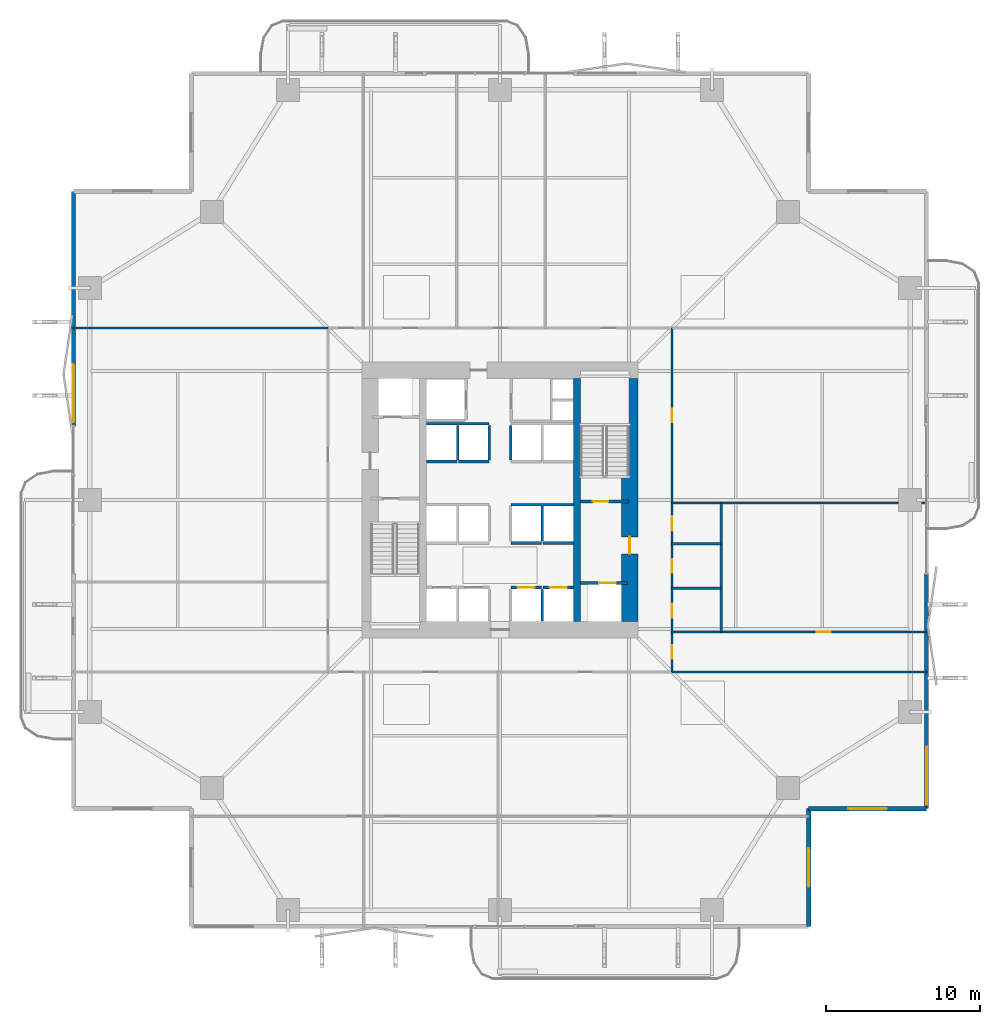
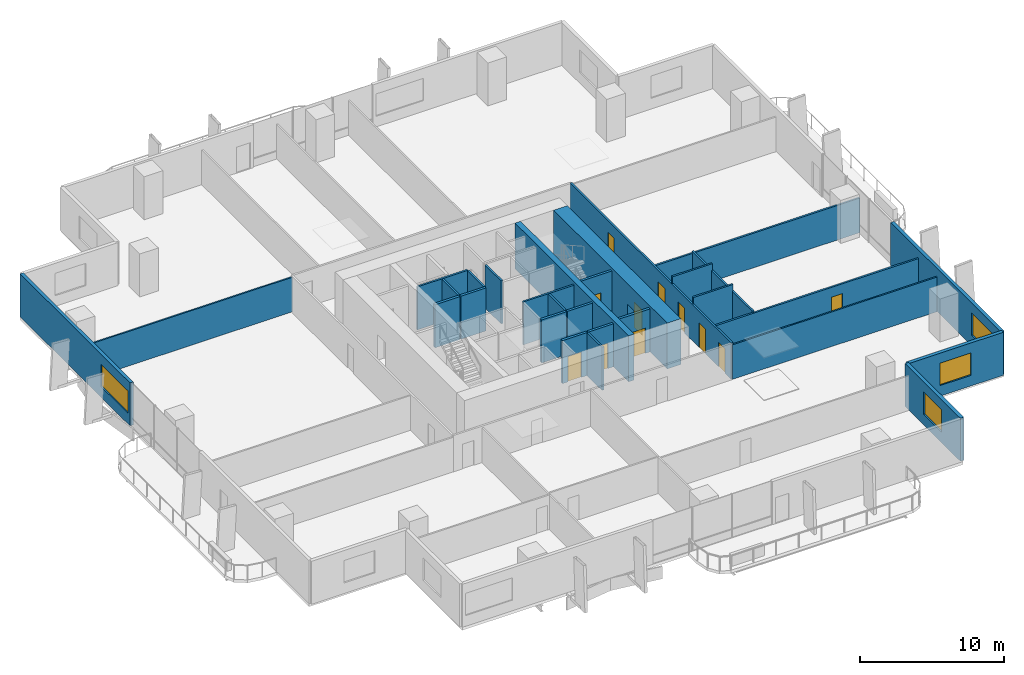
# One storey, part 18 of 24: 29 walls, 11 doors, 4 windows, 15 openings.
"""IFC4 building model written with IfcOpenShell, lengths in metres."""

from ifc_helpers import new_model, si_unit, direction, frame, frame_2d, origin, place, context, subcontext, project, spatial, rectangle, extrude, material, layer, layer_set, type_object, element, fill, save


model = new_model("IFC4")

# Units and contexts
model_context = context("Model", 3, precision=1e-05, world=origin(), true_north=direction((0.0, 1.0)))
body_context = subcontext(model_context, "Body", "Model", "MODEL_VIEW")
ifc_project = project(units=[si_unit("LENGTHUNIT", "METRE"), si_unit("AREAUNIT", "SQUARE_METRE"), si_unit("VOLUMEUNIT", "CUBIC_METRE"), si_unit("PLANEANGLEUNIT", "RADIAN"), si_unit("MASSUNIT", "GRAM", prefix="KILO")], contexts=[model_context])

# Site, building, storey
site_placement = place(None, origin())
site = spatial("IfcSite", under=ifc_project, at=site_placement, CompositionType="ELEMENT")
building_placement = place(site_placement, origin())
building = spatial("IfcBuilding", under=site, at=building_placement, Name="Belovzor Exchange Tower", CompositionType="ELEMENT")
storey_placement = place(building_placement, frame((0.0, 0.0, 61.199951171875)))
storey = spatial("IfcBuildingStorey", under=building, at=storey_placement, Name="L14", CompositionType="ELEMENT", Elevation=61.199951171875)

# Walls
ifc_material_1 = material(Name="Acoustic Plasterboard on Galvanised Studs", Category="gypsum")
ifc_layer_1 = layer(ifc_material_1, 0.1201171875)
ifc_layer_set_1 = layer_set([ifc_layer_1], Name="Acoustic Plasterboard on Galvanised Studs")
wall_type_1 = type_object("IfcWallType", Name="Acoustic Double-Stud Partition Wall 120", PredefinedType="PARTITIONING", material=ifc_layer_set_1)
for number, where, z_axis, x_axis, name in (
    (1, (40.0, 17.60009765625, 0.0), (0.0, 0.0, 1.0), (1.0, 0.0, 0.0), "W-P120 Partition Wall W-L14-END-SE"),
    (2, (1.030029296875, 40.0, 0.0), (0.0, 0.0, 1.0), (1.0, 0.0, 0.0), "W-P120 Partition Wall W-L14-END-NW"),
):
    element("IfcWall", number, at=place(storey_placement, frame(where, z_axis=z_axis, x_axis=x_axis)), inside=storey, type_object=wall_type_1, Name=name, PredefinedType="PARTITIONING", context=body_context, shape_type="SweptSolid", body=[
        extrude(rectangle(XDim=16.570068359375, YDim=0.1201171875, at=frame_2d((8.28515625, 0.0))), origin(), (0.0, 0.0, 1.0), 2.93505859375),
    ])
ifc_material_2 = material(Name="Fire-Rated Gypsum Block and Mineral Wool", Category="gypsum")
ifc_layer_2 = layer(ifc_material_2, 0.14990234375)
ifc_layer_set_2 = layer_set([ifc_layer_2], Name="Fire-Rated Gypsum Block and Mineral Wool")
wall_type_2 = type_object("IfcWallType", Name="Fire-Rated Gypsum Block Corridor Wall 150", PredefinedType="PARTITIONING", material=ifc_layer_set_2)
wall_1_placement = place(storey_placement, frame((43.199951171875, 20.199951171875, 0.0), z_axis=(0.0, 0.0, 1.0), x_axis=(0.0, 1.0, 0.0)))
element("IfcWall", 3, at=wall_1_placement, inside=storey, type_object=wall_type_2, Name="W-P150 Partition Wall W-L14-WCE", PredefinedType="PARTITIONING", context=body_context, shape_type="SweptSolid", body=[
    extrude(rectangle(XDim=8.400146484375, YDim=0.14990234375, at=frame_2d((4.2001953125, 0.0))), origin(), (0.0, 0.0, 1.0), 3.0849609375),
])

# Wall, opening, door
wall_2_placement = place(storey_placement, frame((40.0, 20.199951171875, 0.0), z_axis=(0.0, 0.0, 1.0), x_axis=(1.0, 0.0, 0.0)))
wall_2 = element("IfcWall", 4, at=wall_2_placement, inside=storey, type_object=wall_type_2, Name="W-P150 Partition Wall W-L14-WCS", PredefinedType="PARTITIONING", context=body_context, shape_type="SweptSolid", body=[
    extrude(rectangle(XDim=16.570068359375, YDim=0.14990234375, at=frame_2d((8.28515625, 0.0))), origin(), (0.0, 0.0, 1.0), 2.93505859375),
])
opening_1_placement = place(wall_2_placement, frame((9.43505859375, 0.0, 0.0)))
opening_1 = element("IfcOpeningElement", 5, at=opening_1_placement, cuts=wall_2, Name="Opening D-INT-090", PredefinedType="OPENING", context=body_context, shape_type="SweptSolid", body=[
    extrude(rectangle(XDim=0.89990234375, YDim=2.10009765625, at=frame_2d((0.449951171875, 1.050048828125))), frame((0.0, 0.0849609375, 0.0), z_axis=(0.0, -1.0, 0.0), x_axis=(1.0, 0.0, 0.0)), (0.0, 0.0, 1.0), 0.169921875),
])
ifc_material_3 = material(Name="Veneered Hardwood Acoustic Leaf", Category="wood")
door_type_1 = type_object("IfcDoorType", Name="Trading Suite Acoustic Single Door 900x2100", OperationType="NOTDEFINED", PredefinedType="DOOR", material=ifc_material_3)
door_1_placement = place(opening_1_placement, origin())
door_1 = element("IfcDoor", 6, at=door_1_placement, inside=storey, type_object=door_type_1, Name="D-INT-090 Trading Suite Acoustic Single Door 900x2100", OperationType="SINGLE_SWING_LEFT", OverallHeight=2.10009765625, OverallWidth=0.89990234375, PredefinedType="DOOR", context=body_context, shape_type="SweptSolid", body=[
    extrude(rectangle(XDim=0.89990234375, YDim=2.10009765625, at=frame_2d((0.449951171875, 1.050048828125))), frame((0.0, 0.02490234375, 0.0), z_axis=(0.0, -1.0, 0.0), x_axis=(1.0, 0.0, 0.0)), (0.0, 0.0, 1.0), 0.050048828125),
])
fill(opening_1, door_1)

# Walls
wall_3_placement = place(storey_placement, frame((40.0, 28.60009765625, 0.0), z_axis=(0.0, 0.0, 1.0), x_axis=(1.0, 0.0, 0.0)))
element("IfcWall", 7, at=wall_3_placement, inside=storey, type_object=wall_type_2, Name="W-P150 Partition Wall W-L14-WCN", PredefinedType="PARTITIONING", context=body_context, shape_type="SweptSolid", body=[
    extrude(rectangle(XDim=16.570068359375, YDim=0.14990234375, at=frame_2d((8.28515625, 0.0))), origin(), (0.0, 0.0, 1.0), 2.93505859375),
])
for number, where, z_axis, x_axis, name in (
    (8, (40.0, 23.050048828125, 0.0), (0.0, 0.0, 1.0), (1.0, 0.0, 0.0), "W-P150 Partition Wall W-L14-WCD1"),
    (9, (40.0, 25.949951171875, 0.0), (0.0, 0.0, 1.0), (1.0, 0.0, 0.0), "W-P150 Partition Wall W-L14-WCD2"),
):
    element("IfcWall", number, at=place(storey_placement, frame(where, z_axis=z_axis, x_axis=x_axis)), inside=storey, type_object=wall_type_2, Name=name, PredefinedType="PARTITIONING", context=body_context, shape_type="SweptSolid", body=[
        extrude(rectangle(XDim=3.199951171875, YDim=0.14990234375, at=frame_2d((1.60009765625, 0.0))), origin(), (0.0, 0.0, 1.0), 3.650146484375),
    ])

# Wall, openings, doors
wall_4_placement = place(storey_placement, frame((40.0, 17.60009765625, 0.0), z_axis=(0.0, 0.0, 1.0), x_axis=(0.0, 1.0, 0.0)))
wall_4 = element("IfcWall", 10, at=wall_4_placement, inside=storey, type_object=wall_type_2, Name="W-P150 Partition Wall W-L14-CE", PredefinedType="PARTITIONING", context=body_context, shape_type="SweptSolid", body=[
    extrude(rectangle(XDim=22.39990234375, YDim=0.14990234375, at=frame_2d((11.199951171875, 0.0))), origin(), (0.0, 0.0, 1.0), 3.0849609375),
])
opening_2_placement = place(wall_4_placement, frame((0.85009765625, 0.0, 0.0)))
opening_2 = element("IfcOpeningElement", 11, at=opening_2_placement, cuts=wall_4, Name="Opening D-INT-090", PredefinedType="OPENING", context=body_context, shape_type="SweptSolid", body=[
    extrude(rectangle(XDim=0.89990234375, YDim=2.10009765625, at=frame_2d((0.449951171875, 1.050048828125))), frame((0.0, 0.0849609375, 0.0), z_axis=(0.0, -1.0, 0.0), x_axis=(1.0, 0.0, 0.0)), (0.0, 0.0, 1.0), 0.169921875),
])
opening_3_placement = place(wall_4_placement, frame((3.550048828125, 0.0, 0.0)))
opening_3 = element("IfcOpeningElement", 12, at=opening_3_placement, cuts=wall_4, Name="Opening D-FD60-090", PredefinedType="OPENING", context=body_context, shape_type="SweptSolid", body=[
    extrude(rectangle(XDim=0.89990234375, YDim=2.10009765625, at=frame_2d((0.449951171875, 1.050048828125))), frame((0.0, 0.0849609375, 0.0), z_axis=(0.0, -1.0, 0.0), x_axis=(1.0, 0.0, 0.0)), (0.0, 0.0, 1.0), 0.169921875),
])
opening_4_placement = place(wall_4_placement, frame((6.449951171875, 0.0, 0.0)))
opening_4 = element("IfcOpeningElement", 13, at=opening_4_placement, cuts=wall_4, Name="Opening D-FD60-090", PredefinedType="OPENING", context=body_context, shape_type="SweptSolid", body=[
    extrude(rectangle(XDim=0.89990234375, YDim=2.10009765625, at=frame_2d((0.449951171875, 1.050048828125))), frame((0.0, 0.0849609375, 0.0), z_axis=(0.0, -1.0, 0.0), x_axis=(1.0, 0.0, 0.0)), (0.0, 0.0, 1.0), 0.169921875),
])
opening_5_placement = place(wall_4_placement, frame((9.199951171875, 0.0, 0.0)))
opening_5 = element("IfcOpeningElement", 14, at=opening_5_placement, cuts=wall_4, Name="Opening D-FD60-095", PredefinedType="OPENING", context=body_context, shape_type="SweptSolid", body=[
    extrude(rectangle(XDim=0.949951171875, YDim=2.10009765625, at=frame_2d((0.47509765625, 1.050048828125))), frame((0.0, 0.0849609375, 0.0), z_axis=(0.0, -1.0, 0.0), x_axis=(1.0, 0.0, 0.0)), (0.0, 0.0, 1.0), 0.169921875),
])
opening_6_placement = place(wall_4_placement, frame((16.25, 0.0, 0.0)))
opening_6 = element("IfcOpeningElement", 15, at=opening_6_placement, cuts=wall_4, Name="Opening D-INT-090", PredefinedType="OPENING", context=body_context, shape_type="SweptSolid", body=[
    extrude(rectangle(XDim=0.89990234375, YDim=2.10009765625, at=frame_2d((0.449951171875, 1.050048828125))), frame((0.0, 0.0849609375, 0.0), z_axis=(0.0, -1.0, 0.0), x_axis=(1.0, 0.0, 0.0)), (0.0, 0.0, 1.0), 0.169921875),
])
ifc_material_4 = material(Name="Moisture-Resistant Timber Fire Leaf", Category="wood")
door_type_2 = type_object("IfcDoorType", Name="Accessible Restroom Wide Fire Door 950x2100", OperationType="NOTDEFINED", PredefinedType="DOOR", material=ifc_material_4)
door_2_placement = place(opening_5_placement, origin())
door_2 = element("IfcDoor", 16, at=door_2_placement, inside=storey, type_object=door_type_2, Name="D-FD60-095 Accessible Restroom Wide Fire Door 950x2100", OperationType="SINGLE_SWING_LEFT", OverallHeight=2.10009765625, OverallWidth=0.949951171875, PredefinedType="DOOR", context=body_context, shape_type="SweptSolid", body=[
    extrude(rectangle(XDim=0.949951171875, YDim=2.10009765625, at=frame_2d((0.47509765625, 1.050048828125))), frame((0.0, 0.02490234375, 0.0), z_axis=(0.0, -1.0, 0.0), x_axis=(1.0, 0.0, 0.0)), (0.0, 0.0, 1.0), 0.050048828125),
])
fill(opening_5, door_2)
ifc_material_5 = material(Name="Acoustic Timber Fire Leaf", Category="wood")
door_type_3 = type_object("IfcDoorType", Name="Core Service & Restroom Fire Door 900x2100", OperationType="NOTDEFINED", PredefinedType="DOOR", material=ifc_material_5)
door_3_placement = place(opening_3_placement, origin())
door_3 = element("IfcDoor", 17, at=door_3_placement, inside=storey, type_object=door_type_3, Name="D-FD60-090 Core Service & Restroom Fire Door 900x2100", OperationType="SINGLE_SWING_LEFT", OverallHeight=2.10009765625, OverallWidth=0.89990234375, PredefinedType="DOOR", context=body_context, shape_type="SweptSolid", body=[
    extrude(rectangle(XDim=0.89990234375, YDim=2.10009765625, at=frame_2d((0.449951171875, 1.050048828125))), frame((0.0, 0.02490234375, 0.0), z_axis=(0.0, -1.0, 0.0), x_axis=(1.0, 0.0, 0.0)), (0.0, 0.0, 1.0), 0.050048828125),
])
fill(opening_3, door_3)
door_4_placement = place(opening_4_placement, origin())
door_4 = element("IfcDoor", 18, at=door_4_placement, inside=storey, type_object=door_type_3, Name="D-FD60-090 Core Service & Restroom Fire Door 900x2100", OperationType="SINGLE_SWING_RIGHT", OverallHeight=2.10009765625, OverallWidth=0.89990234375, PredefinedType="DOOR", context=body_context, shape_type="SweptSolid", body=[
    extrude(rectangle(XDim=0.89990234375, YDim=2.10009765625, at=frame_2d((0.449951171875, 1.050048828125))), frame((0.0, 0.02490234375, 0.0), z_axis=(0.0, -1.0, 0.0), x_axis=(1.0, 0.0, 0.0)), (0.0, 0.0, 1.0), 0.050048828125),
])
fill(opening_4, door_4)
door_5_placement = place(opening_2_placement, origin())
door_5 = element("IfcDoor", 19, at=door_5_placement, inside=storey, type_object=door_type_1, Name="D-INT-090 Trading Suite Acoustic Single Door 900x2100", OperationType="SINGLE_SWING_LEFT", OverallHeight=2.10009765625, OverallWidth=0.89990234375, PredefinedType="DOOR", context=body_context, shape_type="SweptSolid", body=[
    extrude(rectangle(XDim=0.89990234375, YDim=2.10009765625, at=frame_2d((0.449951171875, 1.050048828125))), frame((0.0, 0.02490234375, 0.0), z_axis=(0.0, -1.0, 0.0), x_axis=(1.0, 0.0, 0.0)), (0.0, 0.0, 1.0), 0.050048828125),
])
fill(opening_2, door_5)
door_6_placement = place(opening_6_placement, origin())
door_6 = element("IfcDoor", 20, at=door_6_placement, inside=storey, type_object=door_type_1, Name="D-INT-090 Trading Suite Acoustic Single Door 900x2100", OperationType="SINGLE_SWING_RIGHT", OverallHeight=2.10009765625, OverallWidth=0.89990234375, PredefinedType="DOOR", context=body_context, shape_type="SweptSolid", body=[
    extrude(rectangle(XDim=0.89990234375, YDim=2.10009765625, at=frame_2d((0.449951171875, 1.050048828125))), frame((0.0, 0.02490234375, 0.0), z_axis=(0.0, -1.0, 0.0), x_axis=(1.0, 0.0, 0.0)), (0.0, 0.0, 1.0), 0.050048828125),
])
fill(opening_6, door_6)

# Wall, opening, window
ifc_material_6 = material(Name="Precast concrete C40/50", Category="concrete")
ifc_layer_3 = layer(ifc_material_6, 0.280029296875)
ifc_layer_set_3 = layer_set([ifc_layer_3], Name="Precast concrete C40/50")
wall_type_3 = type_object("IfcWallType", Name="Precast Concrete Notched Corner Frame Wall 280", PredefinedType="SOLIDWALL", material=ifc_layer_set_3)
wall_5_placement = place(storey_placement, frame((56.570068359375, 8.699951171875, 0.0), z_axis=(0.0, 0.0, 1.0), x_axis=(-1.0, 0.0, 0.0)))
wall_5 = element("IfcWall", 21, at=wall_5_placement, inside=storey, type_object=wall_type_3, Name="W-CRN280 Precast Concrete Notched Corner Frame Wall 280 L14", PredefinedType="SOLIDWALL", context=body_context, shape_type="SweptSolid", body=[
    extrude(rectangle(XDim=7.670166015625, YDim=0.280029296875, at=frame_2d((3.8349609375, 0.0))), origin(), (0.0, 0.0, 1.0), 3.650146484375),
])
opening_7_placement = place(wall_5_placement, frame((2.5849609375, 0.0, 0.89990234375)))
opening_7 = element("IfcOpeningElement", 22, at=opening_7_placement, cuts=wall_5, Name="Opening WN-CRN250", PredefinedType="OPENING", context=body_context, shape_type="SweptSolid", body=[
    extrude(rectangle(XDim=2.5, YDim=1.89990234375, at=frame_2d((1.25, 0.949951171875))), frame((0.0, 0.14990234375, 0.0), z_axis=(0.0, -1.0, 0.0), x_axis=(1.0, 0.0, 0.0)), (0.0, 0.0, 1.0), 0.300048828125),
])
ifc_material_7 = material(Name="Thermally Broken Aluminium and Triple Glazing", Category="aluminium")
window_type_1 = type_object("IfcWindowType", Name="Streamline Moderne Corner Wrap Ribbon Window 2500x1900", PartitioningType="SINGLE_PANEL", PredefinedType="WINDOW", material=ifc_material_7)
window_1_placement = place(opening_7_placement, origin())
window_1 = element("IfcWindow", 23, at=window_1_placement, inside=storey, type_object=window_type_1, Name="WN-CRN250 Streamline Moderne Corner Wrap Ribbon Window 2500x1900", OverallHeight=1.89990234375, OverallWidth=2.5, PartitioningType="SINGLE_PANEL", PredefinedType="WINDOW", context=body_context, shape_type="SweptSolid", body=[
    extrude(rectangle(XDim=2.5, YDim=1.89990234375, at=frame_2d((1.25, 0.949951171875))), frame((0.0, 0.030029296875, 0.0), z_axis=(0.0, -1.0, 0.0), x_axis=(1.0, 0.0, 0.0)), (0.0, 0.0, 1.0), 0.06005859375),
])
fill(opening_7, window_1)

wall_6_placement = place(storey_placement, frame((48.89990234375, 8.699951171875, 0.0), z_axis=(0.0, 0.0, 1.0), x_axis=(0.0, -1.0, 0.0)))
wall_6 = element("IfcWall", 24, at=wall_6_placement, inside=storey, type_object=wall_type_3, Name="W-CRN280 Precast Concrete Notched Corner Frame Wall 280 L14", PredefinedType="SOLIDWALL", context=body_context, shape_type="SweptSolid", body=[
    extrude(rectangle(XDim=7.669921875, YDim=0.280029296875, at=frame_2d((3.8349609375, 0.0))), origin(), (0.0, 0.0, 1.0), 3.650146484375),
])
opening_8_placement = place(wall_6_placement, frame((2.5849609375, 0.0, 0.89990234375)))
opening_8 = element("IfcOpeningElement", 25, at=opening_8_placement, cuts=wall_6, Name="Opening WN-CRN250", PredefinedType="OPENING", context=body_context, shape_type="SweptSolid", body=[
    extrude(rectangle(XDim=2.5, YDim=1.89990234375, at=frame_2d((1.25, 0.949951171875))), frame((0.0, 0.14990234375, 0.0), z_axis=(0.0, -1.0, 0.0), x_axis=(1.0, 0.0, 0.0)), (0.0, 0.0, 1.0), 0.300048828125),
])
window_2_placement = place(opening_8_placement, origin())
window_2 = element("IfcWindow", 26, at=window_2_placement, inside=storey, type_object=window_type_1, Name="WN-CRN250 Streamline Moderne Corner Wrap Ribbon Window 2500x1900", OverallHeight=1.89990234375, OverallWidth=2.5, PartitioningType="SINGLE_PANEL", PredefinedType="WINDOW", context=body_context, shape_type="SweptSolid", body=[
    extrude(rectangle(XDim=2.5, YDim=1.89990234375, at=frame_2d((1.25, 0.949951171875))), frame((0.0, 0.030029296875, 0.0), z_axis=(0.0, -1.0, 0.0), x_axis=(1.0, 0.0, 0.0)), (0.0, 0.0, 1.0), 0.06005859375),
])
fill(opening_8, window_2)

ifc_material_8 = material(Name="Precast concrete C40/50", Category="concrete")
ifc_layer_4 = layer(ifc_material_8, 0.260009765625)
ifc_layer_set_4 = layer_set([ifc_layer_4], Name="Precast concrete C40/50")
wall_type_4 = type_object("IfcWallType", Name="Precast Concrete Perimeter Loggia Frame Wall 260", PredefinedType="SOLIDWALL", material=ifc_layer_set_4)
wall_7_placement = place(storey_placement, frame((1.030029296875, 33.60009765625, 0.0), z_axis=(0.0, 0.0, 1.0), x_axis=(0.0, 1.0, 0.0)))
wall_7 = element("IfcWall", 27, at=wall_7_placement, inside=storey, type_object=wall_type_4, Name="W-EXT260 Precast Concrete Perimeter Loggia Frame Wall 260 L14", PredefinedType="SOLIDWALL", context=body_context, shape_type="SweptSolid", body=[
    extrude(rectangle(XDim=15.2998046875, YDim=0.260009765625, at=frame_2d((7.64990234375, 0.0))), origin(), (0.0, 0.0, 1.0), 3.650146484375),
])
opening_9_placement = place(wall_7_placement, frame((0.25, 0.0, 0.89990234375)))
opening_9 = element("IfcOpeningElement", 28, at=opening_9_placement, cuts=wall_7, Name="Opening WN-RIB380", PredefinedType="OPENING", context=body_context, shape_type="SweptSolid", body=[
    extrude(rectangle(XDim=3.800048828125, YDim=1.89990234375, at=frame_2d((1.89990234375, 0.949951171875))), frame((0.0, 0.139892578125, 0.0), z_axis=(0.0, -1.0, 0.0), x_axis=(1.0, 0.0, 0.0)), (0.0, 0.0, 1.0), 0.280029296875),
])
ifc_material_9 = material(Name="Thermally Broken Aluminium and Triple Glazing", Category="aluminium")
window_type_2 = type_object("IfcWindowType", Name="Streamline Moderne Horizontal Ribbon Window 3800x1900", PartitioningType="SINGLE_PANEL", PredefinedType="WINDOW", material=ifc_material_9)
window_3_placement = place(opening_9_placement, origin())
window_3 = element("IfcWindow", 29, at=window_3_placement, inside=storey, type_object=window_type_2, Name="WN-RIB380 Streamline Moderne Horizontal Ribbon Window 3800x1900", OverallHeight=1.89990234375, OverallWidth=3.800048828125, PartitioningType="SINGLE_PANEL", PredefinedType="WINDOW", context=body_context, shape_type="SweptSolid", body=[
    extrude(rectangle(XDim=3.800048828125, YDim=1.89990234375, at=frame_2d((1.89990234375, 0.949951171875))), frame((0.0, 0.030029296875, 0.0), z_axis=(0.0, -1.0, 0.0), x_axis=(1.0, 0.0, 0.0)), (0.0, 0.0, 1.0), 0.06005859375),
])
fill(opening_9, window_3)

wall_8_placement = place(storey_placement, frame((56.570068359375, 24.0, 0.0), z_axis=(0.0, 0.0, 1.0), x_axis=(0.0, -1.0, 0.0)))
wall_8 = element("IfcWall", 30, at=wall_8_placement, inside=storey, type_object=wall_type_4, Name="W-EXT260 Precast Concrete Perimeter Loggia Frame Wall 260 L14", PredefinedType="SOLIDWALL", context=body_context, shape_type="SweptSolid", body=[
    extrude(rectangle(XDim=15.300048828125, YDim=0.260009765625, at=frame_2d((7.64990234375, 0.0))), origin(), (0.0, 0.0, 1.0), 3.650146484375),
])
opening_10_placement = place(wall_8_placement, frame((11.25, 0.0, 0.89990234375)))
opening_10 = element("IfcOpeningElement", 31, at=opening_10_placement, cuts=wall_8, Name="Opening WN-RIB380", PredefinedType="OPENING", context=body_context, shape_type="SweptSolid", body=[
    extrude(rectangle(XDim=3.800048828125, YDim=1.89990234375, at=frame_2d((1.89990234375, 0.949951171875))), frame((0.0, 0.139892578125, 0.0), z_axis=(0.0, -1.0, 0.0), x_axis=(1.0, 0.0, 0.0)), (0.0, 0.0, 1.0), 0.280029296875),
])
window_4_placement = place(opening_10_placement, origin())
window_4 = element("IfcWindow", 32, at=window_4_placement, inside=storey, type_object=window_type_2, Name="WN-RIB380 Streamline Moderne Horizontal Ribbon Window 3800x1900", OverallHeight=1.89990234375, OverallWidth=3.800048828125, PartitioningType="SINGLE_PANEL", PredefinedType="WINDOW", context=body_context, shape_type="SweptSolid", body=[
    extrude(rectangle(XDim=3.800048828125, YDim=1.89990234375, at=frame_2d((1.89990234375, 0.949951171875))), frame((0.0, 0.030029296875, 0.0), z_axis=(0.0, -1.0, 0.0), x_axis=(1.0, 0.0, 0.0)), (0.0, 0.0, 1.0), 0.06005859375),
])
fill(opening_10, window_4)

# Walls
ifc_material_10 = material(Name="Concrete C50/60", Category="concrete")
ifc_layer_5 = layer(ifc_material_10, 0.449951171875)
ifc_layer_set_5 = layer_set([ifc_layer_5], Name="Concrete C50/60")
wall_type_5 = type_object("IfcWallType", Name="Reinforced Concrete Core Internal Web Wall 450", PredefinedType="SHEAR", material=ifc_layer_set_5)
wall_9_placement = place(storey_placement, frame((33.824951171875, 20.89990234375, 0.0), z_axis=(0.0, 0.0, 1.0), x_axis=(0.0, 1.0, 0.0)))
element("IfcWall", 33, at=wall_9_placement, inside=storey, type_object=wall_type_5, Name="CW-W045 Core Internal Web Wall L14 ER", PredefinedType="SHEAR", context=body_context, shape_type="SweptSolid", body=[
    extrude(rectangle(XDim=15.800048828125, YDim=0.449951171875, at=frame_2d((7.89990234375, 0.0))), origin(), (0.0, 0.0, 1.0), 3.900146484375),
])
ifc_material_11 = material(Name="Concrete C50/60", Category="concrete")
ifc_layer_6 = layer(ifc_material_11, 0.14990234375)
ifc_layer_set_6 = layer_set([ifc_layer_6], Name="Concrete C50/60")
wall_type_6 = type_object("IfcWallType", Name="Reinforced Concrete Core Riser Shear Wall 150", PredefinedType="SHEAR", material=ifc_layer_set_6)
wall_10_placement = place(storey_placement, frame((31.550048828125, 20.919921875, 0.0), z_axis=(0.0, 0.0, 1.0), x_axis=(0.0, 1.0, 0.0)))
element("IfcWall", 34, at=wall_10_placement, inside=storey, type_object=wall_type_6, Name="W-C150S Core Shaft Wall W-SHD-L14-PLL-4", PredefinedType="SHEAR", context=body_context, shape_type="SweptSolid", body=[
    extrude(rectangle(XDim=2.06005859375, YDim=0.14990234375, at=frame_2d((1.030029296875, 0.0))), origin(), (0.0, 0.0, 1.0), 3.650146484375),
])
wall_11_placement = place(storey_placement, frame((29.5, 28.5, 0.0), z_axis=(0.0, 0.0, 1.0), x_axis=(1.0, 0.0, 0.0)))
element("IfcWall", 35, at=wall_11_placement, inside=storey, type_object=wall_type_6, Name="W-C150S Core Shaft Wall W-SHB-L14-PLM-NE", PredefinedType="SHEAR", context=body_context, shape_type="SweptSolid", body=[
    extrude(rectangle(XDim=4.080078125, YDim=0.14990234375, at=frame_2d((2.0400390625, 0.0))), origin(), (0.0, 0.0, 1.0), 3.650146484375),
])
wall_12_placement = place(storey_placement, frame((31.550048828125, 26.1201171875, 0.0), z_axis=(0.0, 0.0, 1.0), x_axis=(0.0, 1.0, 0.0)))
element("IfcWall", 36, at=wall_12_placement, inside=storey, type_object=wall_type_6, Name="W-C150S Core Shaft Wall W-SHD-L14-PLM-4", PredefinedType="SHEAR", context=body_context, shape_type="SweptSolid", body=[
    extrude(rectangle(XDim=2.27978515625, YDim=0.14990234375, at=frame_2d((1.139892578125, 0.0))), origin(), (0.0, 0.0, 1.0), 3.650146484375),
])
wall_13_placement = place(storey_placement, frame((24.02001953125, 33.760009765625, 0.0), z_axis=(0.0, 0.0, 1.0), x_axis=(1.0, 0.0, 0.0)))
element("IfcWall", 37, at=wall_13_placement, inside=storey, type_object=wall_type_6, Name="W-C150S Core Shaft Wall W-SHB-L14-PLH-NW", PredefinedType="SHEAR", context=body_context, shape_type="SweptSolid", body=[
    extrude(rectangle(XDim=4.080078125, YDim=0.14990234375, at=frame_2d((2.0400390625, 0.0))), origin(), (0.0, 0.0, 1.0), 3.650146484375),
])
for number, where, z_axis, x_axis, name in (
    (38, (26.050048828125, 31.419921875, 0.0), (0.0, 0.0, 1.0), (0.0, 1.0, 0.0), "W-C150S Core Shaft Wall W-SHD-L14-PLH-1"),
    (39, (28.10009765625, 31.419921875, 0.0), (0.0, 0.0, 1.0), (0.0, 1.0, 0.0), "W-C150S Core Shaft Wall W-SHD-L14-PLH-2"),
    (40, (29.5, 31.419921875, 0.0), (0.0, 0.0, 1.0), (0.0, 1.0, 0.0), "W-C150S Core Shaft Wall W-SHD-L14-PLH-3"),
):
    element("IfcWall", number, at=place(storey_placement, frame(where, z_axis=z_axis, x_axis=x_axis)), inside=storey, type_object=wall_type_6, Name=name, PredefinedType="SHEAR", context=body_context, shape_type="SweptSolid", body=[
        extrude(rectangle(XDim=2.239990234375, YDim=0.14990234375, at=frame_2d((1.1201171875, 0.0))), origin(), (0.0, 0.0, 1.0), 3.650146484375),
    ])

# Wall, opening, door
ifc_material_12 = material(Name="Concrete C50/60", Category="concrete")
ifc_layer_7 = layer(ifc_material_12, 0.199951171875)
ifc_layer_set_7 = layer_set([ifc_layer_7], Name="Concrete C50/60")
wall_type_7 = type_object("IfcWallType", Name="Reinforced Concrete Core Shaft Shear Wall 200", PredefinedType="SHEAR", material=ifc_layer_set_7)
wall_14_placement = place(storey_placement, frame((34.050048828125, 28.699951171875, 0.0), z_axis=(0.0, 0.0, 1.0), x_axis=(1.0, 0.0, 0.0)))
wall_14 = element("IfcWall", 41, at=wall_14_placement, inside=storey, type_object=wall_type_7, Name="W-C200S Core Shaft Wall W-CORE-L14-FFLE2", PredefinedType="SHEAR", context=body_context, shape_type="SweptSolid", body=[
    extrude(rectangle(XDim=3.14990234375, YDim=0.199951171875, at=frame_2d((1.574951171875, 0.0))), origin(), (0.0, 0.0, 1.0), 3.650146484375),
])
opening_11_placement = place(wall_14_placement, frame((0.800048828125, 0.0, 0.0)))
opening_11 = element("IfcOpeningElement", 42, at=opening_11_placement, cuts=wall_14, Name="Opening D-FD90-100", PredefinedType="OPENING", context=body_context, shape_type="SweptSolid", body=[
    extrude(rectangle(XDim=1.0, YDim=2.10009765625, at=frame_2d((0.5, 1.050048828125))), frame((0.0, 0.10986328125, 0.0), z_axis=(0.0, -1.0, 0.0), x_axis=(1.0, 0.0, 0.0)), (0.0, 0.0, 1.0), 0.219970703125),
])
ifc_material_13 = material(Name="Fire-Rated Galvanised Steel Leaf", Category="steel")
door_type_4 = type_object("IfcDoorType", Name="Protected Stairwell Single Fire Door 1000x2100", OperationType="NOTDEFINED", PredefinedType="DOOR", material=ifc_material_13)
door_7_placement = place(opening_11_placement, origin())
door_7 = element("IfcDoor", 43, at=door_7_placement, inside=storey, type_object=door_type_4, Name="D-FD90-100 Protected Stairwell Single Fire Door 1000x2100", OperationType="SINGLE_SWING_LEFT", OverallHeight=2.10009765625, OverallWidth=1.0, PredefinedType="DOOR", context=body_context, shape_type="SweptSolid", body=[
    extrude(rectangle(XDim=1.0, YDim=2.10009765625, at=frame_2d((0.5, 1.050048828125))), frame((0.0, 0.02490234375, 0.0), z_axis=(0.0, -1.0, 0.0), x_axis=(1.0, 0.0, 0.0)), (0.0, 0.0, 1.0), 0.050048828125),
])
fill(opening_11, door_7)

wall_15_placement = place(storey_placement, frame((34.050048828125, 23.39990234375, 0.0), z_axis=(0.0, 0.0, 1.0), x_axis=(1.0, 0.0, 0.0)))
wall_15 = element("IfcWall", 44, at=wall_15_placement, inside=storey, type_object=wall_type_7, Name="W-C200S Core Shaft Wall W-SH-L14-FFL-02", PredefinedType="SHEAR", context=body_context, shape_type="SweptSolid", body=[
    extrude(rectangle(XDim=3.050048828125, YDim=0.199951171875, at=frame_2d((1.52490234375, 0.0))), origin(), (0.0, 0.0, 1.0), 3.650146484375),
])
opening_12_placement = place(wall_15_placement, frame((1.199951171875, 0.0, 0.0)))
opening_12 = element("IfcOpeningElement", 45, at=opening_12_placement, cuts=wall_15, Name="Opening LD-110", PredefinedType="OPENING", context=body_context, shape_type="SweptSolid", body=[
    extrude(rectangle(XDim=1.10009765625, YDim=2.14990234375, at=frame_2d((0.550048828125, 1.074951171875))), frame((0.0, 0.10986328125, 0.0), z_axis=(0.0, -1.0, 0.0), x_axis=(1.0, 0.0, 0.0)), (0.0, 0.0, 1.0), 0.219970703125),
])
ifc_material_14 = material(Name="Stainless Steel Grade 304", Category="steel")
door_type_5 = type_object("IfcDoorType", Name="Automated Stainless Steel Lift Landing Door 1100x2150", OperationType="SLIDING_TO_RIGHT", PredefinedType="DOOR", material=ifc_material_14)
door_8_placement = place(opening_12_placement, origin())
door_8 = element("IfcDoor", 46, at=door_8_placement, inside=storey, type_object=door_type_5, Name="LD-110 Automated Stainless Steel Lift Landing Door 1100x2150", OperationType="SLIDING_TO_RIGHT", OverallHeight=2.14990234375, OverallWidth=1.10009765625, PredefinedType="DOOR", context=body_context, shape_type="SweptSolid", body=[
    extrude(rectangle(XDim=1.10009765625, YDim=2.14990234375, at=frame_2d((0.550048828125, 1.074951171875))), frame((0.0, 0.02490234375, 0.0), z_axis=(0.0, -1.0, 0.0), x_axis=(1.0, 0.0, 0.0)), (0.0, 0.0, 1.0), 0.050048828125),
])
fill(opening_12, door_8)

wall_16_placement = place(storey_placement, frame((29.5, 23.10009765625, 0.0), z_axis=(0.0, 0.0, 1.0), x_axis=(1.0, 0.0, 0.0)))
wall_16 = element("IfcWall", 47, at=wall_16_placement, inside=storey, type_object=wall_type_7, Name="W-C200S Core Shaft Wall W-SH-L14-PL-L3", PredefinedType="SHEAR", context=body_context, shape_type="SweptSolid", body=[
    extrude(rectangle(XDim=2.0, YDim=0.199951171875, at=frame_2d((1.0, 0.0))), origin(), (0.0, 0.0, 1.0), 3.650146484375),
])
opening_13_placement = place(wall_16_placement, frame((0.449951171875, 0.0, 0.0)))
opening_13 = element("IfcOpeningElement", 48, at=opening_13_placement, cuts=wall_16, Name="Opening LD-110", PredefinedType="OPENING", context=body_context, shape_type="SweptSolid", body=[
    extrude(rectangle(XDim=1.10009765625, YDim=2.14990234375, at=frame_2d((0.550048828125, 1.074951171875))), frame((0.0, 0.10986328125, 0.0), z_axis=(0.0, -1.0, 0.0), x_axis=(1.0, 0.0, 0.0)), (0.0, 0.0, 1.0), 0.219970703125),
])
door_9_placement = place(opening_13_placement, origin())
door_9 = element("IfcDoor", 49, at=door_9_placement, inside=storey, type_object=door_type_5, Name="LD-110 Automated Stainless Steel Lift Landing Door 1100x2150", OperationType="SLIDING_TO_RIGHT", OverallHeight=2.14990234375, OverallWidth=1.10009765625, PredefinedType="DOOR", context=body_context, shape_type="SweptSolid", body=[
    extrude(rectangle(XDim=1.10009765625, YDim=2.14990234375, at=frame_2d((0.550048828125, 1.074951171875))), frame((0.0, 0.02490234375, 0.0), z_axis=(0.0, -1.0, 0.0), x_axis=(1.0, 0.0, 0.0)), (0.0, 0.0, 1.0), 0.050048828125),
])
fill(opening_13, door_9)

wall_17_placement = place(storey_placement, frame((31.60009765625, 23.10009765625, 0.0), z_axis=(0.0, 0.0, 1.0), x_axis=(1.0, 0.0, 0.0)))
wall_17 = element("IfcWall", 50, at=wall_17_placement, inside=storey, type_object=wall_type_7, Name="W-C200S Core Shaft Wall W-SH-L14-PL-L4", PredefinedType="SHEAR", context=body_context, shape_type="SweptSolid", body=[
    extrude(rectangle(XDim=2.0, YDim=0.199951171875, at=frame_2d((1.0, 0.0))), origin(), (0.0, 0.0, 1.0), 3.650146484375),
])
opening_14_placement = place(wall_17_placement, frame((0.449951171875, 0.0, 0.0)))
opening_14 = element("IfcOpeningElement", 51, at=opening_14_placement, cuts=wall_17, Name="Opening LD-110", PredefinedType="OPENING", context=body_context, shape_type="SweptSolid", body=[
    extrude(rectangle(XDim=1.10009765625, YDim=2.14990234375, at=frame_2d((0.550048828125, 1.074951171875))), frame((0.0, 0.10986328125, 0.0), z_axis=(0.0, -1.0, 0.0), x_axis=(1.0, 0.0, 0.0)), (0.0, 0.0, 1.0), 0.219970703125),
])
door_10_placement = place(opening_14_placement, origin())
door_10 = element("IfcDoor", 52, at=door_10_placement, inside=storey, type_object=door_type_5, Name="LD-110 Automated Stainless Steel Lift Landing Door 1100x2150", OperationType="SLIDING_TO_RIGHT", OverallHeight=2.14990234375, OverallWidth=1.10009765625, PredefinedType="DOOR", context=body_context, shape_type="SweptSolid", body=[
    extrude(rectangle(XDim=1.10009765625, YDim=2.14990234375, at=frame_2d((0.550048828125, 1.074951171875))), frame((0.0, 0.02490234375, 0.0), z_axis=(0.0, -1.0, 0.0), x_axis=(1.0, 0.0, 0.0)), (0.0, 0.0, 1.0), 0.050048828125),
])
fill(opening_14, door_10)

# Walls
for number, where, z_axis, x_axis, name in (
    (53, (29.5, 26.0, 0.0), (0.0, 0.0, 1.0), (1.0, 0.0, 0.0), "W-C200S Core Shaft Wall W-SH-L14-PL-M3"),
    (54, (31.60009765625, 26.0, 0.0), (0.0, 0.0, 1.0), (1.0, 0.0, 0.0), "W-C200S Core Shaft Wall W-SH-L14-PL-M4"),
    (55, (24.0, 31.300048828125, 0.0), (0.0, 0.0, 1.0), (1.0, 0.0, 0.0), "W-C200S Core Shaft Wall W-SH-L14-PL-H1"),
    (56, (26.10009765625, 31.300048828125, 0.0), (0.0, 0.0, 1.0), (1.0, 0.0, 0.0), "W-C200S Core Shaft Wall W-SH-L14-PL-H2"),
):
    element("IfcWall", number, at=place(storey_placement, frame(where, z_axis=z_axis, x_axis=x_axis)), inside=storey, type_object=wall_type_7, Name=name, PredefinedType="SHEAR", context=body_context, shape_type="SweptSolid", body=[
        extrude(rectangle(XDim=2.0, YDim=0.199951171875, at=frame_2d((1.0, 0.0))), origin(), (0.0, 0.0, 1.0), 3.650146484375),
    ])

# Wall, opening, door
ifc_material_15 = material(Name="Concrete C60/75", Category="concrete")
ifc_layer_8 = layer(ifc_material_15, 1.10009765625)
ifc_layer_set_8 = layer_set([ifc_layer_8], Name="Concrete C60/75")
wall_type_8 = type_object("IfcWallType", Name="Reinforced Concrete Core Shear Wall 1100", PredefinedType="SHEAR", material=ifc_layer_set_8)
wall_18_placement = place(storey_placement, frame((37.25, 20.89990234375, 0.0), z_axis=(0.0, 0.0, 1.0), x_axis=(0.0, 1.0, 0.0)))
wall_18 = element("IfcWall", 57, at=wall_18_placement, inside=storey, type_object=wall_type_8, Name="CW-S110 Core Shear Wall L14 E", PredefinedType="SHEAR", context=body_context, shape_type="SweptSolid", body=[
    extrude(rectangle(XDim=15.800048828125, YDim=1.10009765625, at=frame_2d((7.89990234375, 0.0))), origin(), (0.0, 0.0, 1.0), 3.900146484375),
])
opening_15_placement = place(wall_18_placement, frame((4.39990234375, 0.0, 0.0)))
opening_15 = element("IfcOpeningElement", 58, at=opening_15_placement, cuts=wall_18, Name="Opening D-FD90-110", PredefinedType="OPENING", context=body_context, shape_type="SweptSolid", body=[
    extrude(rectangle(XDim=1.10009765625, YDim=2.14990234375, at=frame_2d((0.550048828125, 1.074951171875))), frame((0.0, 0.56005859375, 0.0), z_axis=(0.0, -1.0, 0.0), x_axis=(1.0, 0.0, 0.0)), (0.0, 0.0, 1.0), 1.1201171875),
])
ifc_material_16 = material(Name="Fire-Rated Galvanised Steel Leaf", Category="steel")
door_type_6 = type_object("IfcDoorType", Name="Protected Escape Vestibule Fire Door 1100x2150", OperationType="NOTDEFINED", PredefinedType="DOOR", material=ifc_material_16)
door_11_placement = place(opening_15_placement, origin())
door_11 = element("IfcDoor", 59, at=door_11_placement, inside=storey, type_object=door_type_6, Name="D-FD90-110 Protected Escape Vestibule Fire Door 1100x2150", OperationType="SINGLE_SWING_RIGHT", OverallHeight=2.14990234375, OverallWidth=1.10009765625, PredefinedType="DOOR", context=body_context, shape_type="SweptSolid", body=[
    extrude(rectangle(XDim=1.10009765625, YDim=2.14990234375, at=frame_2d((0.550048828125, 1.074951171875))), frame((0.0, 0.02490234375, 0.0), z_axis=(0.0, -1.0, 0.0), x_axis=(1.0, 0.0, 0.0)), (0.0, 0.0, 1.0), 0.050048828125),
])
fill(opening_15, door_11)

save(model, "model.ifc")
